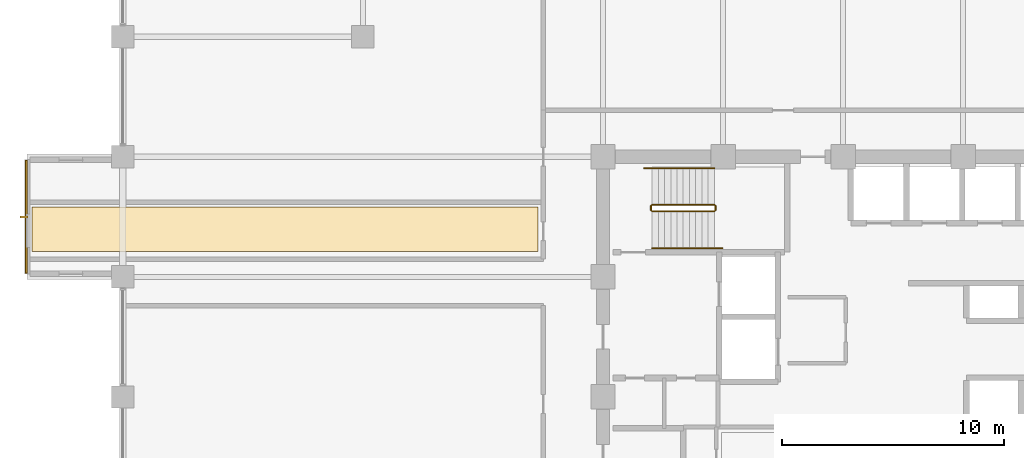
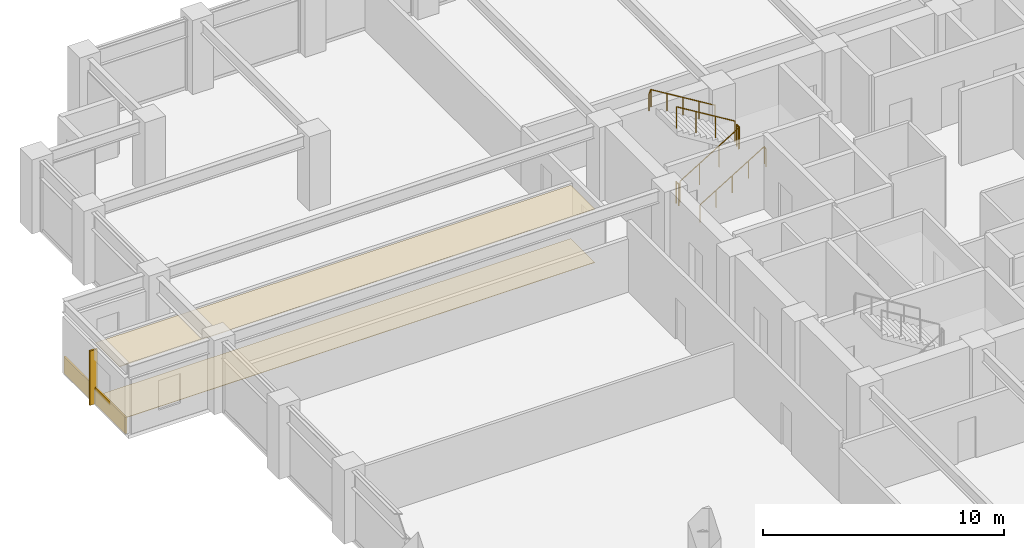
# One storey, part 27 of 29: 6 railings, 3 coverings, 1 shading device.
"""IFC4 building model written with IfcOpenShell, lengths in metres."""

from ifc_helpers import new_model, si_unit, direction, frame, origin, origin_2d, place, context, subcontext, project, spatial, polyline, rectangle, circle, outline, extrude, material, layer, layer_set, type_object, element, save


model = new_model("IFC4")

# Units and contexts
model_context = context("Model", 3, precision=1e-05, world=origin(), true_north=direction((0.0, 1.0)))
body_context = subcontext(model_context, "Body", "Model", "MODEL_VIEW")
ifc_project = project(units=[si_unit("LENGTHUNIT", "METRE"), si_unit("AREAUNIT", "SQUARE_METRE"), si_unit("VOLUMEUNIT", "CUBIC_METRE"), si_unit("PLANEANGLEUNIT", "RADIAN"), si_unit("MASSUNIT", "GRAM", prefix="KILO")], contexts=[model_context])

# Site, building, storey
site_placement = place(None, origin())
site = spatial("IfcSite", under=ifc_project, at=site_placement, CompositionType="ELEMENT")
building_placement = place(site_placement, origin())
building = spatial("IfcBuilding", under=site, at=building_placement, Name="Surkhivell Harbour Commons", CompositionType="ELEMENT")
storey_placement = place(building_placement, frame((0.0, 0.0, 154.5)))
storey = spatial("IfcBuildingStorey", under=building, at=storey_placement, Name="L40", CompositionType="ELEMENT", Elevation=154.5)

# Coverings
ifc_material_1 = material(Name="Moisture-resistant gypsum acoustic ceiling board", Category="other")
ifc_layer_1 = layer(ifc_material_1, 0.030029296875)
ifc_layer_set_1 = layer_set([ifc_layer_1], Name="Moisture-resistant gypsum acoustic ceiling board")
covering_type_1 = type_object("IfcCoveringType", Name="COV-CEIL-GYP", PredefinedType="CEILING", material=ifc_layer_set_1)
covering_1_placement = place(storey_placement, frame((0.0, 0.0, 2.68896484375)))
element("IfcCovering", 1, at=covering_1_placement, inside=storey, type_object=covering_type_1, Name="L40 Suspended Acoustic Ceiling 2", PredefinedType="CEILING", context=body_context, shape_type="SweptSolid", body=[
    extrude(outline(polyline([(-13.719970703125, 6.5400390625), (-13.719970703125, 8.530029296875), (-36.489990234375, 8.530029296875), (-36.489990234375, 6.5400390625), (-13.719970703125, 6.5400390625)])), origin(), (0.0, 0.0, 1.0), 0.030029296875),
])
ifc_material_2 = material(Name="Emerald-teal enamelled aluminium cassette panel", Category="aluminium")
ifc_layer_2 = layer(ifc_material_2, 0.068115234375)
ifc_layer_set_2 = layer_set([ifc_layer_2], Name="Emerald-teal enamelled aluminium cassette panel")
covering_type_2 = type_object("IfcCoveringType", Name="COV-CLAD-EME", PredefinedType="CLADDING", material=ifc_layer_set_2)
covering_2_placement = place(storey_placement, frame((-36.739990234375, 8.10009765625, 0.0), z_axis=(0.0, 0.0, 1.0), x_axis=(1.0, 0.0, 0.0)))
element("IfcCovering", 2, at=covering_2_placement, inside=storey, type_object=covering_type_2, Name="L40 Coloured-Panel Box Spandrel Cassette 02", PredefinedType="CLADDING", context=body_context, shape_type="SweptSolid", body=[
    extrude(rectangle(XDim=0.080078125, YDim=5.10009765625, at=origin_2d()), origin(), (0.0, 0.0, 1.0), 0.840087890625),
])
ifc_material_3 = material(Name="Engineered acoustic oak timber flooring", Category="wood")
ifc_layer_3 = layer(ifc_material_3, 0.02001953125)
ifc_layer_set_3 = layer_set([ifc_layer_3], Name="Engineered acoustic oak timber flooring")
covering_type_3 = type_object("IfcCoveringType", Name="COV-FLR-TIM", PredefinedType="FLOORING", material=ifc_layer_set_3)
covering_3_placement = place(storey_placement, origin())
element("IfcCovering", 3, at=covering_3_placement, inside=storey, type_object=covering_type_3, Name="L40 Interior Floor Finish 2", PredefinedType="FLOORING", context=body_context, shape_type="SweptSolid", body=[
    extrude(outline(polyline([(-13.719970703125, 6.5400390625), (-13.719970703125, 8.530029296875), (-36.489990234375, 8.530029296875), (-36.489990234375, 6.5400390625), (-13.719970703125, 6.5400390625)])), origin(), (0.0, 0.0, 1.0), 0.02001953125),
])

# Railings
ifc_material_4 = material(Name="Galvanised and painted steel S355 guard rail", Category="steel")
railing_type_1 = type_object("IfcRailingType", Name="RAL-ST-GRD1100", PredefinedType="GUARDRAIL", material=ifc_material_4)
railing_1_placement = place(storey_placement, frame((-8.590087890625, 8.340087890625, 0.17041015625)))
element("IfcRailing", 4, at=railing_1_placement, inside=storey, type_object=railing_type_1, Name="L40 ST1 stair guard 1", PredefinedType="GUARDRAIL", context=body_context, shape_type="SweptSolid", body=[
    extrude(circle(Radius=0.02392578125, at=origin_2d()), frame((0.0, 0.0, 1.076171875), z_axis=(0.854169791009, 0.0, 0.51999420009), x_axis=(0.0, 1.0, 0.0)), (0.0, 0.0, 1.0), 3.278076171875),
    extrude(circle(Radius=0.02099609375, at=origin_2d()), origin(), (0.0, 0.0, 1.0), 1.052001953125),
    extrude(circle(Radius=0.02099609375, at=origin_2d()), frame((0.933349609375, 0.0, 0.568115234375)), (0.0, 0.0, 1.0), 1.052001953125),
    extrude(circle(Radius=0.02099609375, at=origin_2d()), frame((1.86669921875, 0.0, 1.136474609375)), (0.0, 0.0, 1.0), 1.052001953125),
    extrude(circle(Radius=0.02099609375, at=origin_2d()), frame((2.800048828125, 0.0, 1.70458984375)), (0.0, 0.0, 1.0), 1.052001953125),
])
railing_2_placement = place(storey_placement, frame((-5.739990234375, 8.389892578125, 1.875)))
element("IfcRailing", 5, at=railing_2_placement, inside=storey, type_object=railing_type_1, Name="L40 ST1 stair guard 2", PredefinedType="GUARDRAIL", context=body_context, shape_type="SweptSolid", body=[
    extrude(circle(Radius=0.02392578125, at=origin_2d()), frame((0.0, 0.0, 1.076171875), z_axis=(0.0, 1.0, 0.0), x_axis=(-1.0, 0.0, 0.0)), (0.0, 0.0, 1.0), 0.2001953125),
    extrude(circle(Radius=0.02099609375, at=origin_2d()), origin(), (0.0, 0.0, 1.0), 1.052001953125),
    extrude(circle(Radius=0.02099609375, at=origin_2d()), frame((0.0, 0.2001953125, 0.0)), (0.0, 0.0, 1.0), 1.052001953125),
])
railing_3_placement = place(storey_placement, frame((-5.7900390625, 8.639892578125, 2.04541015625)))
element("IfcRailing", 6, at=railing_3_placement, inside=storey, type_object=railing_type_1, Name="L40 ST1 stair guard 3", PredefinedType="GUARDRAIL", context=body_context, shape_type="SweptSolid", body=[
    extrude(circle(Radius=0.02392578125, at=origin_2d()), frame((0.0, 0.0, 1.076171875), z_axis=(-0.854169791009, 0.0, 0.51999420009), x_axis=(0.0, -1.0, 0.0)), (0.0, 0.0, 1.0), 3.278076171875),
    extrude(circle(Radius=0.02099609375, at=origin_2d()), origin(), (0.0, 0.0, 1.0), 1.052001953125),
    extrude(circle(Radius=0.02099609375, at=origin_2d()), frame((-0.933349609375, 0.0, 0.568115234375)), (0.0, 0.0, 1.0), 1.052001953125),
    extrude(circle(Radius=0.02099609375, at=origin_2d()), frame((-1.86669921875, 0.0, 1.136474609375)), (0.0, 0.0, 1.0), 1.052001953125),
    extrude(circle(Radius=0.02099609375, at=origin_2d()), frame((-2.800048828125, 0.0, 1.70458984375)), (0.0, 0.0, 1.0), 1.052001953125),
])
railing_4_placement = place(storey_placement, frame((-8.639892578125, 8.389892578125, 0.0)))
element("IfcRailing", 7, at=railing_4_placement, inside=storey, type_object=railing_type_1, Name="L40 ST1 stair guard 4", PredefinedType="GUARDRAIL", context=body_context, shape_type="SweptSolid", body=[
    extrude(circle(Radius=0.02392578125, at=origin_2d()), frame((0.0, 0.0, 1.076171875), z_axis=(0.0, 1.0, 0.0), x_axis=(-1.0, 0.0, 0.0)), (0.0, 0.0, 1.0), 0.2001953125),
    extrude(circle(Radius=0.02099609375, at=origin_2d()), origin(), (0.0, 0.0, 1.0), 1.052001953125),
    extrude(circle(Radius=0.02099609375, at=origin_2d()), frame((0.0, 0.2001953125, 0.0)), (0.0, 0.0, 1.0), 1.052001953125),
])
ifc_material_5 = material(Name="Brushed stainless steel S355 handrail", Category="steel")
railing_type_2 = type_object("IfcRailingType", Name="RAL-ST-HND900", PredefinedType="HANDRAIL", material=ifc_material_5)
railing_5_placement = place(storey_placement, frame((-8.590087890625, 6.68994140625, 0.17041015625)))
element("IfcRailing", 8, at=railing_5_placement, inside=storey, type_object=railing_type_2, Name="L40 ST1 stair handrail 1", PredefinedType="HANDRAIL", context=body_context, shape_type="SweptSolid", body=[
    extrude(circle(Radius=0.02392578125, at=origin_2d()), frame((0.0, 0.0, 0.8759765625), z_axis=(0.854177636135, 0.0, 0.519981313056), x_axis=(0.0, 1.0, 0.0)), (0.0, 0.0, 1.0), 3.60595703125),
    extrude(circle(Radius=0.02392578125, at=origin_2d()), frame((3.080078125, 0.0, 2.7509765625), z_axis=(0.425297416671, 0.0, -0.905053648892), x_axis=(0.0, 1.0, 0.0)), (0.0, 0.0, 1.0), 0.188232421875),
    extrude(circle(Radius=0.02099609375, at=origin_2d()), origin(), (0.0, 0.0, 1.0), 0.851806640625),
    extrude(circle(Radius=0.02099609375, at=origin_2d()), frame((0.77001953125, 0.0, 0.46875)), (0.0, 0.0, 1.0), 0.851806640625),
    extrude(circle(Radius=0.02099609375, at=origin_2d()), frame((1.5400390625, 0.0, 0.9375)), (0.0, 0.0, 1.0), 0.851806640625),
    extrude(circle(Radius=0.02099609375, at=origin_2d()), frame((2.31005859375, 0.0, 1.40625)), (0.0, 0.0, 1.0), 0.851806640625),
    extrude(circle(Radius=0.02099609375, at=origin_2d()), frame((3.080078125, 0.0, 1.875)), (0.0, 0.0, 1.0), 0.851806640625),
    extrude(circle(Radius=0.02099609375, at=origin_2d()), frame((3.16015625, 0.0, 1.70458984375)), (0.0, 0.0, 1.0), 0.851806640625),
])
railing_6_placement = place(storey_placement, frame((-5.7900390625, 10.2900390625, 2.04541015625)))
element("IfcRailing", 9, at=railing_6_placement, inside=storey, type_object=railing_type_2, Name="L40 ST1 stair handrail 2", PredefinedType="HANDRAIL", context=body_context, shape_type="SweptSolid", body=[
    extrude(circle(Radius=0.02392578125, at=origin_2d()), frame((0.0, 0.0, 0.8759765625), z_axis=(-0.854177636135, 0.0, 0.519981313056), x_axis=(0.0, -1.0, 0.0)), (0.0, 0.0, 1.0), 3.60595703125),
    extrude(circle(Radius=0.02392578125, at=origin_2d()), frame((-3.080078125, 0.0, 2.7509765625), z_axis=(-0.424234432967, 0.0, -0.905552398199), x_axis=(0.0, -1.0, 0.0)), (0.0, 0.0, 1.0), 0.188232421875),
    extrude(circle(Radius=0.02099609375, at=origin_2d()), origin(), (0.0, 0.0, 1.0), 0.851806640625),
    extrude(circle(Radius=0.02099609375, at=origin_2d()), frame((-0.77001953125, 0.0, 0.46875)), (0.0, 0.0, 1.0), 0.851806640625),
    extrude(circle(Radius=0.02099609375, at=origin_2d()), frame((-1.5400390625, 0.0, 0.9375)), (0.0, 0.0, 1.0), 0.851806640625),
    extrude(circle(Radius=0.02099609375, at=origin_2d()), frame((-2.31005859375, 0.0, 1.40625)), (0.0, 0.0, 1.0), 0.851806640625),
    extrude(circle(Radius=0.02099609375, at=origin_2d()), frame((-3.080078125, 0.0, 1.875)), (0.0, 0.0, 1.0), 0.851806640625),
    extrude(circle(Radius=0.02099609375, at=origin_2d()), frame((-3.159912109375, 0.0, 1.70458984375)), (0.0, 0.0, 1.0), 0.851806640625),
])

# Shading device
ifc_material_6 = material(Name="Anodised pale-metal aluminium solar fin", Category="aluminium")
shading_device_type = type_object("IfcShadingDeviceType", Name="SHD-FIN-VERT", PredefinedType="USERDEFINED", material=ifc_material_6)
shading_device_placement = place(storey_placement, frame((-36.840087890625, 8.10009765625, 0.0048828125), z_axis=(0.0, 0.0, 1.0), x_axis=(1.0, 0.0, 0.0)))
element("IfcShadingDevice", 10, at=shading_device_placement, inside=storey, type_object=shading_device_type, Name="L40 Coloured-Box Solar Fin 02", ObjectType="FIN", PredefinedType="USERDEFINED", context=body_context, shape_type="SweptSolid", body=[
    extrude(rectangle(XDim=0.360107421875, YDim=0.090087890625, at=origin_2d()), origin(), (0.0, 0.0, 1.0), 2.75),
])

save(model, "model.ifc")
